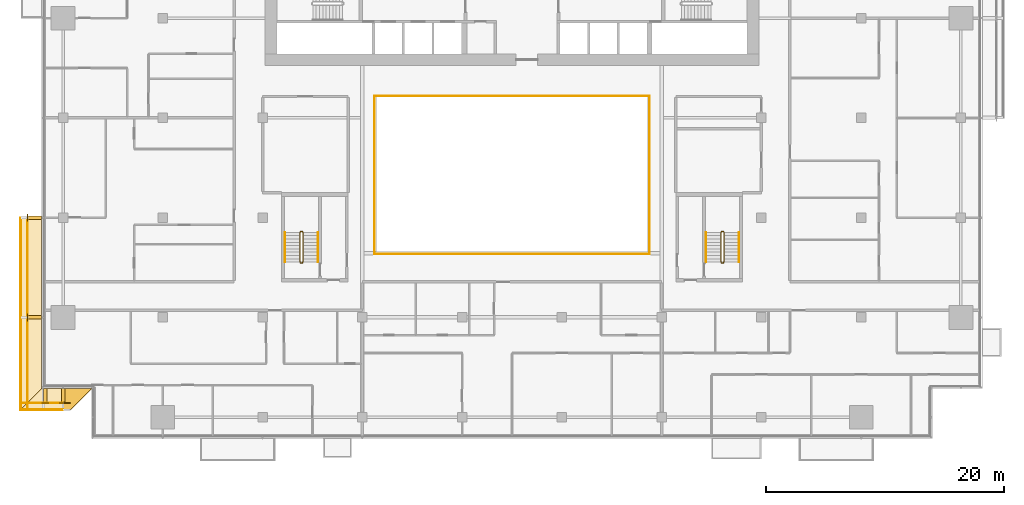
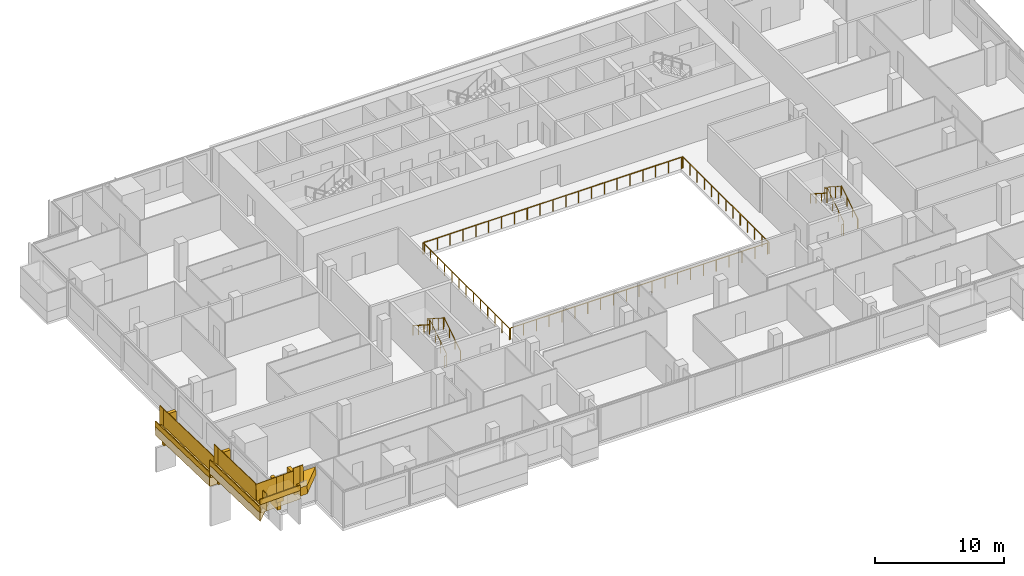
# One storey, part 26 of 29: 18 railings, 11 coverings.
"""IFC4 building model written with IfcOpenShell, lengths in metres."""

from ifc_helpers import new_model, si_unit, direction, frame, origin, origin_2d, place, context, subcontext, project, spatial, polyline, rectangle, circle, outline, extrude, material, layer, layer_set, type_object, element, save


model = new_model("IFC4")

# Units and contexts
model_context = context("Model", 3, precision=1e-05, world=origin(), true_north=direction((0.0, 1.0)))
body_context = subcontext(model_context, "Body", "Model", "MODEL_VIEW")
ifc_project = project(units=[si_unit("LENGTHUNIT", "METRE"), si_unit("AREAUNIT", "SQUARE_METRE"), si_unit("VOLUMEUNIT", "CUBIC_METRE"), si_unit("PLANEANGLEUNIT", "RADIAN"), si_unit("MASSUNIT", "GRAM", prefix="KILO")], contexts=[model_context])

# Site, building, storey
site_placement = place(None, origin())
site = spatial("IfcSite", under=ifc_project, at=site_placement, CompositionType="ELEMENT")
building_placement = place(site_placement, origin())
building = spatial("IfcBuilding", under=site, at=building_placement, Name="Saffron Gate Tower", CompositionType="ELEMENT")
storey_placement = place(building_placement, frame((0.0, 0.0, 113.25)))
storey = spatial("IfcBuildingStorey", under=building, at=storey_placement, Name="L26", CompositionType="ELEMENT", Elevation=113.25)

# Railings
ifc_material_1 = material(Name="Stainless steel and laminated glass", Category="steel")
railing_type_1 = type_object("IfcRailingType", Name="AG1 Atrium edge guard 1100", PredefinedType="GUARDRAIL", material=ifc_material_1)
railing_1_placement = place(storey_placement, frame((76.02001953125, 45.5400390625, 0.0)))
element("IfcRailing", 1, at=railing_1_placement, inside=storey, type_object=railing_type_1, Name="Guard B2-1", PredefinedType="GUARDRAIL", context=body_context, shape_type="SweptSolid", body=[
    extrude(circle(Radius=0.02392578125, at=origin_2d()), frame((0.0, 0.0, 1.076171875), z_axis=(0.0, 1.0, 0.0), x_axis=(-1.0, 0.0, 0.0)), (0.0, 0.0, 1.0), 13.320068359375),
    extrude(circle(Radius=0.02099609375, at=origin_2d()), origin(), (0.0, 0.0, 1.0), 1.052001953125),
    extrude(circle(Radius=0.02099609375, at=origin_2d()), frame((0.0, 1.110107421875, 0.0)), (0.0, 0.0, 1.0), 1.052001953125),
    extrude(circle(Radius=0.02099609375, at=origin_2d()), frame((0.0, 2.219970703125, 0.0)), (0.0, 0.0, 1.0), 1.052001953125),
    extrude(circle(Radius=0.02099609375, at=origin_2d()), frame((0.0, 3.330078125, 0.0)), (0.0, 0.0, 1.0), 1.052001953125),
    extrude(circle(Radius=0.02099609375, at=origin_2d()), frame((0.0, 4.43994140625, 0.0)), (0.0, 0.0, 1.0), 1.052001953125),
    extrude(circle(Radius=0.02099609375, at=origin_2d()), frame((0.0, 5.550048828125, 0.0)), (0.0, 0.0, 1.0), 1.052001953125),
    extrude(circle(Radius=0.02099609375, at=origin_2d()), frame((0.0, 6.66015625, 0.0)), (0.0, 0.0, 1.0), 1.052001953125),
    extrude(circle(Radius=0.02099609375, at=origin_2d()), frame((0.0, 7.77001953125, 0.0)), (0.0, 0.0, 1.0), 1.052001953125),
    extrude(circle(Radius=0.02099609375, at=origin_2d()), frame((0.0, 8.880126953125, 0.0)), (0.0, 0.0, 1.0), 1.052001953125),
    extrude(circle(Radius=0.02099609375, at=origin_2d()), frame((0.0, 9.989990234375, 0.0)), (0.0, 0.0, 1.0), 1.052001953125),
    extrude(circle(Radius=0.02099609375, at=origin_2d()), frame((0.0, 11.10009765625, 0.0)), (0.0, 0.0, 1.0), 1.052001953125),
    extrude(circle(Radius=0.02099609375, at=origin_2d()), frame((0.0, 12.2099609375, 0.0)), (0.0, 0.0, 1.0), 1.052001953125),
    extrude(circle(Radius=0.02099609375, at=origin_2d()), frame((0.0, 13.320068359375, 0.0)), (0.0, 0.0, 1.0), 1.052001953125),
])
railing_2_placement = place(storey_placement, frame((76.139892578125, 58.860107421875, 0.0)))
element("IfcRailing", 2, at=railing_2_placement, inside=storey, type_object=railing_type_1, Name="Guard B2-2", PredefinedType="GUARDRAIL", context=body_context, shape_type="SweptSolid", body=[
    extrude(circle(Radius=0.02392578125, at=origin_2d()), frame((0.0, 0.0, 1.076171875), z_axis=(1.0, 0.0, 0.0), x_axis=(0.0, 1.0, 0.0)), (0.0, 0.0, 1.0), 22.920166015625),
    extrude(circle(Radius=0.02099609375, at=origin_2d()), origin(), (0.0, 0.0, 1.0), 1.052001953125),
    extrude(circle(Radius=0.02099609375, at=origin_2d()), frame((1.14599609375, 0.0, 0.0)), (0.0, 0.0, 1.0), 1.052001953125),
    extrude(circle(Radius=0.02099609375, at=origin_2d()), frame((2.2919921875, 0.0, 0.0)), (0.0, 0.0, 1.0), 1.052001953125),
    extrude(circle(Radius=0.02099609375, at=origin_2d()), frame((3.43798828125, 0.0, 0.0)), (0.0, 0.0, 1.0), 1.052001953125),
    extrude(circle(Radius=0.02099609375, at=origin_2d()), frame((4.583984375, 0.0, 0.0)), (0.0, 0.0, 1.0), 1.052001953125),
    extrude(circle(Radius=0.02099609375, at=origin_2d()), frame((5.72998046875, 0.0, 0.0)), (0.0, 0.0, 1.0), 1.052001953125),
    extrude(circle(Radius=0.02099609375, at=origin_2d()), frame((6.8759765625, 0.0, 0.0)), (0.0, 0.0, 1.0), 1.052001953125),
    extrude(circle(Radius=0.02099609375, at=origin_2d()), frame((8.02197265625, 0.0, 0.0)), (0.0, 0.0, 1.0), 1.052001953125),
    extrude(circle(Radius=0.02099609375, at=origin_2d()), frame((9.16796875, 0.0, 0.0)), (0.0, 0.0, 1.0), 1.052001953125),
    extrude(circle(Radius=0.02099609375, at=origin_2d()), frame((10.31396484375, 0.0, 0.0)), (0.0, 0.0, 1.0), 1.052001953125),
    extrude(circle(Radius=0.02099609375, at=origin_2d()), frame((11.4599609375, 0.0, 0.0)), (0.0, 0.0, 1.0), 1.052001953125),
    extrude(circle(Radius=0.02099609375, at=origin_2d()), frame((12.606201171875, 0.0, 0.0)), (0.0, 0.0, 1.0), 1.052001953125),
    extrude(circle(Radius=0.02099609375, at=origin_2d()), frame((13.752197265625, 0.0, 0.0)), (0.0, 0.0, 1.0), 1.052001953125),
    extrude(circle(Radius=0.02099609375, at=origin_2d()), frame((14.898193359375, 0.0, 0.0)), (0.0, 0.0, 1.0), 1.052001953125),
    extrude(circle(Radius=0.02099609375, at=origin_2d()), frame((16.044189453125, 0.0, 0.0)), (0.0, 0.0, 1.0), 1.052001953125),
    extrude(circle(Radius=0.02099609375, at=origin_2d()), frame((17.190185546875, 0.0, 0.0)), (0.0, 0.0, 1.0), 1.052001953125),
    extrude(circle(Radius=0.02099609375, at=origin_2d()), frame((18.336181640625, 0.0, 0.0)), (0.0, 0.0, 1.0), 1.052001953125),
    extrude(circle(Radius=0.02099609375, at=origin_2d()), frame((19.482177734375, 0.0, 0.0)), (0.0, 0.0, 1.0), 1.052001953125),
    extrude(circle(Radius=0.02099609375, at=origin_2d()), frame((20.628173828125, 0.0, 0.0)), (0.0, 0.0, 1.0), 1.052001953125),
    extrude(circle(Radius=0.02099609375, at=origin_2d()), frame((21.774169921875, 0.0, 0.0)), (0.0, 0.0, 1.0), 1.052001953125),
    extrude(circle(Radius=0.02099609375, at=origin_2d()), frame((22.920166015625, 0.0, 0.0)), (0.0, 0.0, 1.0), 1.052001953125),
])
railing_3_placement = place(storey_placement, frame((99.179931640625, 58.860107421875, 0.0)))
element("IfcRailing", 3, at=railing_3_placement, inside=storey, type_object=railing_type_1, Name="Guard B2-3", PredefinedType="GUARDRAIL", context=body_context, shape_type="SweptSolid", body=[
    extrude(circle(Radius=0.02392578125, at=origin_2d()), frame((0.0, 0.0, 1.076171875), z_axis=(0.0, -1.0, 0.0), x_axis=(1.0, 0.0, 0.0)), (0.0, 0.0, 1.0), 13.320068359375),
    extrude(circle(Radius=0.02099609375, at=origin_2d()), origin(), (0.0, 0.0, 1.0), 1.052001953125),
    extrude(circle(Radius=0.02099609375, at=origin_2d()), frame((0.0, -1.110107421875, 0.0)), (0.0, 0.0, 1.0), 1.052001953125),
    extrude(circle(Radius=0.02099609375, at=origin_2d()), frame((0.0, -2.219970703125, 0.0)), (0.0, 0.0, 1.0), 1.052001953125),
    extrude(circle(Radius=0.02099609375, at=origin_2d()), frame((0.0, -3.330078125, 0.0)), (0.0, 0.0, 1.0), 1.052001953125),
    extrude(circle(Radius=0.02099609375, at=origin_2d()), frame((0.0, -4.43994140625, 0.0)), (0.0, 0.0, 1.0), 1.052001953125),
    extrude(circle(Radius=0.02099609375, at=origin_2d()), frame((0.0, -5.550048828125, 0.0)), (0.0, 0.0, 1.0), 1.052001953125),
    extrude(circle(Radius=0.02099609375, at=origin_2d()), frame((0.0, -6.66015625, 0.0)), (0.0, 0.0, 1.0), 1.052001953125),
    extrude(circle(Radius=0.02099609375, at=origin_2d()), frame((0.0, -7.77001953125, 0.0)), (0.0, 0.0, 1.0), 1.052001953125),
    extrude(circle(Radius=0.02099609375, at=origin_2d()), frame((0.0, -8.880126953125, 0.0)), (0.0, 0.0, 1.0), 1.052001953125),
    extrude(circle(Radius=0.02099609375, at=origin_2d()), frame((0.0, -9.989990234375, 0.0)), (0.0, 0.0, 1.0), 1.052001953125),
    extrude(circle(Radius=0.02099609375, at=origin_2d()), frame((0.0, -11.10009765625, 0.0)), (0.0, 0.0, 1.0), 1.052001953125),
    extrude(circle(Radius=0.02099609375, at=origin_2d()), frame((0.0, -12.2099609375, 0.0)), (0.0, 0.0, 1.0), 1.052001953125),
    extrude(circle(Radius=0.02099609375, at=origin_2d()), frame((0.0, -13.320068359375, 0.0)), (0.0, 0.0, 1.0), 1.052001953125),
])
railing_4_placement = place(storey_placement, frame((99.06005859375, 45.5400390625, 0.0)))
element("IfcRailing", 4, at=railing_4_placement, inside=storey, type_object=railing_type_1, Name="Guard B2-4", PredefinedType="GUARDRAIL", context=body_context, shape_type="SweptSolid", body=[
    extrude(circle(Radius=0.02392578125, at=origin_2d()), frame((0.0, 0.0, 1.076171875), z_axis=(-1.0, 0.0, 0.0), x_axis=(0.0, -1.0, 0.0)), (0.0, 0.0, 1.0), 22.920166015625),
    extrude(circle(Radius=0.02099609375, at=origin_2d()), origin(), (0.0, 0.0, 1.0), 1.052001953125),
    extrude(circle(Radius=0.02099609375, at=origin_2d()), frame((-1.14599609375, 0.0, 0.0)), (0.0, 0.0, 1.0), 1.052001953125),
    extrude(circle(Radius=0.02099609375, at=origin_2d()), frame((-2.2919921875, 0.0, 0.0)), (0.0, 0.0, 1.0), 1.052001953125),
    extrude(circle(Radius=0.02099609375, at=origin_2d()), frame((-3.43798828125, 0.0, 0.0)), (0.0, 0.0, 1.0), 1.052001953125),
    extrude(circle(Radius=0.02099609375, at=origin_2d()), frame((-4.583984375, 0.0, 0.0)), (0.0, 0.0, 1.0), 1.052001953125),
    extrude(circle(Radius=0.02099609375, at=origin_2d()), frame((-5.72998046875, 0.0, 0.0)), (0.0, 0.0, 1.0), 1.052001953125),
    extrude(circle(Radius=0.02099609375, at=origin_2d()), frame((-6.8759765625, 0.0, 0.0)), (0.0, 0.0, 1.0), 1.052001953125),
    extrude(circle(Radius=0.02099609375, at=origin_2d()), frame((-8.02197265625, 0.0, 0.0)), (0.0, 0.0, 1.0), 1.052001953125),
    extrude(circle(Radius=0.02099609375, at=origin_2d()), frame((-9.16796875, 0.0, 0.0)), (0.0, 0.0, 1.0), 1.052001953125),
    extrude(circle(Radius=0.02099609375, at=origin_2d()), frame((-10.31396484375, 0.0, 0.0)), (0.0, 0.0, 1.0), 1.052001953125),
    extrude(circle(Radius=0.02099609375, at=origin_2d()), frame((-11.4599609375, 0.0, 0.0)), (0.0, 0.0, 1.0), 1.052001953125),
    extrude(circle(Radius=0.02099609375, at=origin_2d()), frame((-12.606201171875, 0.0, 0.0)), (0.0, 0.0, 1.0), 1.052001953125),
    extrude(circle(Radius=0.02099609375, at=origin_2d()), frame((-13.752197265625, 0.0, 0.0)), (0.0, 0.0, 1.0), 1.052001953125),
    extrude(circle(Radius=0.02099609375, at=origin_2d()), frame((-14.898193359375, 0.0, 0.0)), (0.0, 0.0, 1.0), 1.052001953125),
    extrude(circle(Radius=0.02099609375, at=origin_2d()), frame((-16.044189453125, 0.0, 0.0)), (0.0, 0.0, 1.0), 1.052001953125),
    extrude(circle(Radius=0.02099609375, at=origin_2d()), frame((-17.190185546875, 0.0, 0.0)), (0.0, 0.0, 1.0), 1.052001953125),
    extrude(circle(Radius=0.02099609375, at=origin_2d()), frame((-18.336181640625, 0.0, 0.0)), (0.0, 0.0, 1.0), 1.052001953125),
    extrude(circle(Radius=0.02099609375, at=origin_2d()), frame((-19.482177734375, 0.0, 0.0)), (0.0, 0.0, 1.0), 1.052001953125),
    extrude(circle(Radius=0.02099609375, at=origin_2d()), frame((-20.628173828125, 0.0, 0.0)), (0.0, 0.0, 1.0), 1.052001953125),
    extrude(circle(Radius=0.02099609375, at=origin_2d()), frame((-21.774169921875, 0.0, 0.0)), (0.0, 0.0, 1.0), 1.052001953125),
    extrude(circle(Radius=0.02099609375, at=origin_2d()), frame((-22.920166015625, 0.0, 0.0)), (0.0, 0.0, 1.0), 1.052001953125),
])
railing_type_2 = type_object("IfcRailingType", Name="CR1 Stair guard 1100", PredefinedType="GUARDRAIL", material=ifc_material_1)
railing_5_placement = place(storey_placement, frame((69.800048828125, 44.800048828125, 0.0)))
element("IfcRailing", 5, at=railing_5_placement, inside=storey, type_object=railing_type_2, Name="L26 ST-D stair guard 1", PredefinedType="GUARDRAIL", context=body_context, shape_type="SweptSolid", body=[
    extrude(circle(Radius=0.02392578125, at=origin_2d()), frame((0.0, 0.0, 1.076171875), z_axis=(1.0, 0.0, 0.0), x_axis=(0.0, 1.0, 0.0)), (0.0, 0.0, 1.0), 0.14990234375),
    extrude(circle(Radius=0.02392578125, at=origin_2d()), frame((0.14990234375, 0.0, 1.076171875), z_axis=(0.258847668887, 0.258847668887, 0.930588936439), x_axis=(-0.707106781187, 0.707106781187, 0.0)), (0.0, 0.0, 1.0), 0.193359375),
    extrude(circle(Radius=0.02392578125, at=origin_2d()), frame((0.199951171875, 0.050048828125, 1.255859375), z_axis=(0.0, 0.841162588446, 0.540782303519), x_axis=(-1.0, 0.0, 0.0)), (0.0, 0.0, 1.0), 2.995849609375),
    extrude(circle(Radius=0.02392578125, at=origin_2d()), frame((0.199951171875, 2.570068359375, 2.8759765625), z_axis=(-0.708833529934, 0.705375805398, 0.0), x_axis=(-0.705375805398, -0.708833529934, 0.0)), (0.0, 0.0, 1.0), 0.070556640625),
    extrude(circle(Radius=0.02392578125, at=origin_2d()), frame((0.14990234375, 2.619873046875, 2.8759765625), z_axis=(-1.0, 0.0, 0.0), x_axis=(0.0, -1.0, 0.0)), (0.0, 0.0, 1.0), 0.14990234375),
    extrude(circle(Radius=0.02392578125, at=origin_2d()), frame((0.0, 2.619873046875, 2.8759765625), z_axis=(-0.258932105505, -0.257669022063, 0.930892496375), x_axis=(0.705375805398, -0.708833529934, 0.0)), (0.0, 0.0, 1.0), 0.193359375),
    extrude(circle(Radius=0.02392578125, at=origin_2d()), frame((-0.050048828125, 2.570068359375, 3.05615234375), z_axis=(0.0, -0.841162588446, 0.540782303519), x_axis=(1.0, 0.0, 0.0)), (0.0, 0.0, 1.0), 2.995849609375),
    extrude(circle(Radius=0.02099609375, at=origin_2d()), origin(), (0.0, 0.0, 1.0), 1.052001953125),
    extrude(circle(Radius=0.02099609375, at=origin_2d()), frame((0.14990234375, 0.0, 0.0)), (0.0, 0.0, 1.0), 1.052001953125),
    extrude(circle(Radius=0.02099609375, at=origin_2d()), frame((0.199951171875, 0.050048828125, 0.179931640625)), (0.0, 0.0, 1.0), 1.052001953125),
    extrude(circle(Radius=0.02099609375, at=origin_2d()), frame((0.199951171875, 0.89013671875, 0.719970703125)), (0.0, 0.0, 1.0), 1.052001953125),
    extrude(circle(Radius=0.02099609375, at=origin_2d()), frame((0.199951171875, 1.72998046875, 1.260009765625)), (0.0, 0.0, 1.0), 1.052001953125),
    extrude(circle(Radius=0.02099609375, at=origin_2d()), frame((0.199951171875, 2.570068359375, 1.800048828125)), (0.0, 0.0, 1.0), 1.052001953125),
    extrude(circle(Radius=0.02099609375, at=origin_2d()), frame((0.14990234375, 2.619873046875, 1.800048828125)), (0.0, 0.0, 1.0), 1.052001953125),
    extrude(circle(Radius=0.02099609375, at=origin_2d()), frame((0.0, 2.619873046875, 1.800048828125)), (0.0, 0.0, 1.0), 1.052001953125),
    extrude(circle(Radius=0.02099609375, at=origin_2d()), frame((-0.050048828125, 2.570068359375, 1.97998046875)), (0.0, 0.0, 1.0), 1.052001953125),
    extrude(circle(Radius=0.02099609375, at=origin_2d()), frame((-0.050048828125, 1.72998046875, 2.52001953125)), (0.0, 0.0, 1.0), 1.052001953125),
    extrude(circle(Radius=0.02099609375, at=origin_2d()), frame((-0.050048828125, 0.89013671875, 3.06005859375)), (0.0, 0.0, 1.0), 1.052001953125),
    extrude(circle(Radius=0.02099609375, at=origin_2d()), frame((-0.050048828125, 0.050048828125, 3.60009765625)), (0.0, 0.0, 1.0), 1.052001953125),
])
railing_6_placement = place(storey_placement, frame((105.25, 44.800048828125, 0.0)))
element("IfcRailing", 6, at=railing_6_placement, inside=storey, type_object=railing_type_2, Name="L26 ST-E stair guard 1", PredefinedType="GUARDRAIL", context=body_context, shape_type="SweptSolid", body=[
    extrude(circle(Radius=0.02392578125, at=origin_2d()), frame((0.0, 0.0, 1.076171875), z_axis=(1.0, 0.0, 0.0), x_axis=(0.0, 1.0, 0.0)), (0.0, 0.0, 1.0), 0.14990234375),
    extrude(circle(Radius=0.02392578125, at=origin_2d()), frame((0.14990234375, 0.0, 1.076171875), z_axis=(0.258847668887, 0.258847668887, 0.930588936439), x_axis=(-0.707106781187, 0.707106781187, 0.0)), (0.0, 0.0, 1.0), 0.193359375),
    extrude(circle(Radius=0.02392578125, at=origin_2d()), frame((0.199951171875, 0.050048828125, 1.255859375), z_axis=(0.0, 0.841162588446, 0.540782303519), x_axis=(-1.0, 0.0, 0.0)), (0.0, 0.0, 1.0), 2.995849609375),
    extrude(circle(Radius=0.02392578125, at=origin_2d()), frame((0.199951171875, 2.570068359375, 2.8759765625), z_axis=(-0.708833529934, 0.705375805398, 0.0), x_axis=(-0.705375805398, -0.708833529934, 0.0)), (0.0, 0.0, 1.0), 0.070556640625),
    extrude(circle(Radius=0.02392578125, at=origin_2d()), frame((0.14990234375, 2.619873046875, 2.8759765625), z_axis=(-1.0, 0.0, 0.0), x_axis=(0.0, -1.0, 0.0)), (0.0, 0.0, 1.0), 0.14990234375),
    extrude(circle(Radius=0.02392578125, at=origin_2d()), frame((0.0, 2.619873046875, 2.8759765625), z_axis=(-0.258932105505, -0.257669022063, 0.930892496375), x_axis=(0.705375805398, -0.708833529934, 0.0)), (0.0, 0.0, 1.0), 0.193359375),
    extrude(circle(Radius=0.02392578125, at=origin_2d()), frame((-0.050048828125, 2.570068359375, 3.05615234375), z_axis=(0.0, -0.841162588446, 0.540782303519), x_axis=(1.0, 0.0, 0.0)), (0.0, 0.0, 1.0), 2.995849609375),
    extrude(circle(Radius=0.02099609375, at=origin_2d()), origin(), (0.0, 0.0, 1.0), 1.052001953125),
    extrude(circle(Radius=0.02099609375, at=origin_2d()), frame((0.14990234375, 0.0, 0.0)), (0.0, 0.0, 1.0), 1.052001953125),
    extrude(circle(Radius=0.02099609375, at=origin_2d()), frame((0.199951171875, 0.050048828125, 0.179931640625)), (0.0, 0.0, 1.0), 1.052001953125),
    extrude(circle(Radius=0.02099609375, at=origin_2d()), frame((0.199951171875, 0.89013671875, 0.719970703125)), (0.0, 0.0, 1.0), 1.052001953125),
    extrude(circle(Radius=0.02099609375, at=origin_2d()), frame((0.199951171875, 1.72998046875, 1.260009765625)), (0.0, 0.0, 1.0), 1.052001953125),
    extrude(circle(Radius=0.02099609375, at=origin_2d()), frame((0.199951171875, 2.570068359375, 1.800048828125)), (0.0, 0.0, 1.0), 1.052001953125),
    extrude(circle(Radius=0.02099609375, at=origin_2d()), frame((0.14990234375, 2.619873046875, 1.800048828125)), (0.0, 0.0, 1.0), 1.052001953125),
    extrude(circle(Radius=0.02099609375, at=origin_2d()), frame((0.0, 2.619873046875, 1.800048828125)), (0.0, 0.0, 1.0), 1.052001953125),
    extrude(circle(Radius=0.02099609375, at=origin_2d()), frame((-0.050048828125, 2.570068359375, 1.97998046875)), (0.0, 0.0, 1.0), 1.052001953125),
    extrude(circle(Radius=0.02099609375, at=origin_2d()), frame((-0.050048828125, 1.72998046875, 2.52001953125)), (0.0, 0.0, 1.0), 1.052001953125),
    extrude(circle(Radius=0.02099609375, at=origin_2d()), frame((-0.050048828125, 0.89013671875, 3.06005859375)), (0.0, 0.0, 1.0), 1.052001953125),
    extrude(circle(Radius=0.02099609375, at=origin_2d()), frame((-0.050048828125, 0.050048828125, 3.60009765625)), (0.0, 0.0, 1.0), 1.052001953125),
])
ifc_material_2 = material(Name="Stainless steel", Category="steel")
railing_type_3 = type_object("IfcRailingType", Name="CR2 Stair handrail 900", PredefinedType="HANDRAIL", material=ifc_material_2)
railing_7_placement = place(storey_placement, frame((71.25, 44.85009765625, 0.179931640625)))
element("IfcRailing", 7, at=railing_7_placement, inside=storey, type_object=railing_type_3, Name="L26 ST-D stair handrail 1", PredefinedType="HANDRAIL", context=body_context, shape_type="SweptSolid", body=[
    extrude(circle(Radius=0.02392578125, at=origin_2d()), frame((0.0, 0.0, 0.8759765625), z_axis=(0.0, 0.841162588446, 0.540782303519), x_axis=(-1.0, 0.0, 0.0)), (0.0, 0.0, 1.0), 2.995849609375),
    extrude(circle(Radius=0.02099609375, at=origin_2d()), origin(), (0.0, 0.0, 1.0), 0.851806640625),
    extrude(circle(Radius=0.02099609375, at=origin_2d()), frame((0.0, 0.840087890625, 0.5400390625)), (0.0, 0.0, 1.0), 0.851806640625),
    extrude(circle(Radius=0.02099609375, at=origin_2d()), frame((0.0, 1.679931640625, 1.080078125)), (0.0, 0.0, 1.0), 0.851806640625),
    extrude(circle(Radius=0.02099609375, at=origin_2d()), frame((0.0, 2.52001953125, 1.6201171875)), (0.0, 0.0, 1.0), 0.851806640625),
])
railing_8_placement = place(storey_placement, frame((68.5, 47.3701171875, 1.97998046875)))
element("IfcRailing", 8, at=railing_8_placement, inside=storey, type_object=railing_type_3, Name="L26 ST-D stair handrail 2", PredefinedType="HANDRAIL", context=body_context, shape_type="SweptSolid", body=[
    extrude(circle(Radius=0.02392578125, at=origin_2d()), frame((0.0, 0.0, 0.8759765625), z_axis=(0.0, -0.841162588446, 0.540782303519), x_axis=(1.0, 0.0, 0.0)), (0.0, 0.0, 1.0), 2.995849609375),
    extrude(circle(Radius=0.02099609375, at=origin_2d()), origin(), (0.0, 0.0, 1.0), 0.851806640625),
    extrude(circle(Radius=0.02099609375, at=origin_2d()), frame((0.0, -0.840087890625, 0.5400390625)), (0.0, 0.0, 1.0), 0.851806640625),
    extrude(circle(Radius=0.02099609375, at=origin_2d()), frame((0.0, -1.679931640625, 1.080078125)), (0.0, 0.0, 1.0), 0.851806640625),
    extrude(circle(Radius=0.02099609375, at=origin_2d()), frame((0.0, -2.52001953125, 1.6201171875)), (0.0, 0.0, 1.0), 0.851806640625),
])
railing_9_placement = place(storey_placement, frame((106.699951171875, 44.85009765625, 0.179931640625)))
element("IfcRailing", 9, at=railing_9_placement, inside=storey, type_object=railing_type_3, Name="L26 ST-E stair handrail 1", PredefinedType="HANDRAIL", context=body_context, shape_type="SweptSolid", body=[
    extrude(circle(Radius=0.02392578125, at=origin_2d()), frame((0.0, 0.0, 0.8759765625), z_axis=(0.0, 0.841162588446, 0.540782303519), x_axis=(-1.0, 0.0, 0.0)), (0.0, 0.0, 1.0), 2.995849609375),
    extrude(circle(Radius=0.02099609375, at=origin_2d()), origin(), (0.0, 0.0, 1.0), 0.851806640625),
    extrude(circle(Radius=0.02099609375, at=origin_2d()), frame((0.0, 0.840087890625, 0.5400390625)), (0.0, 0.0, 1.0), 0.851806640625),
    extrude(circle(Radius=0.02099609375, at=origin_2d()), frame((0.0, 1.679931640625, 1.080078125)), (0.0, 0.0, 1.0), 0.851806640625),
    extrude(circle(Radius=0.02099609375, at=origin_2d()), frame((0.0, 2.52001953125, 1.6201171875)), (0.0, 0.0, 1.0), 0.851806640625),
])
railing_10_placement = place(storey_placement, frame((103.949951171875, 47.3701171875, 1.97998046875)))
element("IfcRailing", 10, at=railing_10_placement, inside=storey, type_object=railing_type_3, Name="L26 ST-E stair handrail 2", PredefinedType="HANDRAIL", context=body_context, shape_type="SweptSolid", body=[
    extrude(circle(Radius=0.02392578125, at=origin_2d()), frame((0.0, 0.0, 0.8759765625), z_axis=(0.0, -0.841162588446, 0.540782303519), x_axis=(1.0, 0.0, 0.0)), (0.0, 0.0, 1.0), 2.995849609375),
    extrude(circle(Radius=0.02099609375, at=origin_2d()), origin(), (0.0, 0.0, 1.0), 0.851806640625),
    extrude(circle(Radius=0.02099609375, at=origin_2d()), frame((0.0, -0.840087890625, 0.5400390625)), (0.0, 0.0, 1.0), 0.851806640625),
    extrude(circle(Radius=0.02099609375, at=origin_2d()), frame((0.0, -1.679931640625, 1.080078125)), (0.0, 0.0, 1.0), 0.851806640625),
    extrude(circle(Radius=0.02099609375, at=origin_2d()), frame((0.0, -2.52001953125, 1.6201171875)), (0.0, 0.0, 1.0), 0.851806640625),
])

# Coverings
ifc_material_3 = material(Name="Timber, thermally modified ash", Category="wood")
ifc_layer_1 = layer(ifc_material_3, 0.800048828125)
ifc_layer_set_1 = layer_set([ifc_layer_1], Name="LD1 ledge timber")
covering_type_1 = type_object("IfcCoveringType", Name="LD1 ledge timber", PredefinedType="CLADDING", material=ifc_layer_set_1)
covering_1_placement = place(storey_placement, frame((48.0, 48.60009765625, 0.4140625), z_axis=(0.0, 0.028790339263, 0.999585472266), x_axis=(0.0, -0.999585472266, 0.028790339263)))
element("IfcCovering", 11, at=covering_1_placement, inside=storey, type_object=covering_type_1, Name="LEDGE", PredefinedType="CLADDING", context=body_context, shape_type="SweptSolid", body=[
    extrude(outline(polyline([(0.0, 0.0), (8.403630022085892, 0.0), (8.403630022085892, -1.800048828125), (0.0, -1.800048828125), (0.0, 0.0)])), origin(), (0.0, 0.0, -1.0), 0.800048828125),
])
covering_2_placement = place(storey_placement, frame((48.0, 40.199951171875, 1.8564453125), z_axis=(-2.391759e-05, 0.028789477025, 0.999585496814), x_axis=(1.72e-10, -0.9995854971, 0.028789477033)))
element("IfcCovering", 12, at=covering_2_placement, inside=storey, type_object=covering_type_1, Name="LEDGE", PredefinedType="CLADDING", context=body_context, shape_type="SweptSolid", body=[
    extrude(outline(polyline([(0.0, 0.0), (6.002489288687248, 8.470329472543003e-22), (7.80328207139786, -1.8000488299785034), (-3.0879623774719253e-10, -1.8000488276101398), (0.0, 0.0)])), origin(), (0.0, 0.0, -1.0), 0.800048828125),
])
covering_3_placement = place(storey_placement, frame((48.0, 34.199951171875, 2.88671875), z_axis=(-0.028786835276, -4.5191264e-05, 0.999585572161), x_axis=(0.999585573182, -2.041e-09, 0.028786835305)))
element("IfcCovering", 13, at=covering_3_placement, inside=storey, type_object=covering_type_1, Name="LEDGE", PredefinedType="CLADDING", context=body_context, shape_type="SweptSolid", body=[
    extrude(outline(polyline([(0.0, 0.0), (1.8007927832406818, 0.0), (1.8007927869153135, -1.800048826286925), (-1.8007998076020133, -1.8000488373153904), (0.0, 0.0)])), origin(), (0.0, 0.0, -1.0), 0.800048828125),
])
covering_4_placement = place(storey_placement, frame((49.800048828125, 34.199951171875, 3.19580078125), z_axis=(-0.028798988267, 2.8677152e-05, 0.999585222706), x_axis=(0.999585223117, 6.17e-10, 0.028798988279)))
element("IfcCovering", 14, at=covering_4_placement, inside=storey, type_object=covering_type_1, Name="LEDGE", PredefinedType="CLADDING", context=body_context, shape_type="SweptSolid", body=[
    extrude(outline(polyline([(0.0, 0.0), (2.400896693585025, 4.235164736271502e-22), (0.6001039103565923, -1.8000488292351675), (-1.1098572600196767e-09, -1.8000488273848385), (0.0, 0.0)])), origin(), (0.0, 0.0, -1.0), 0.800048828125),
])
ifc_layer_2 = layer(ifc_material_3, 0.080078125)
ifc_layer_set_2 = layer_set([ifc_layer_2], Name="LD2 ledge planter trough")
covering_type_2 = type_object("IfcCoveringType", Name="LD2 ledge planter trough", PredefinedType="CLADDING", material=ifc_layer_set_2)
covering_5_placement = place(storey_placement, frame((46.199951171875, 48.60009765625, 0.4140625), z_axis=(-1.0, 0.0, 0.0), x_axis=(0.0, -0.999585472266, 0.028790339263)))
element("IfcCovering", 15, at=covering_5_placement, inside=storey, type_object=covering_type_2, Name="LEDGE planter trough", PredefinedType="CLADDING", context=body_context, shape_type="SweptSolid", body=[
    extrude(outline(polyline([(0.0, 0.0), (8.403630022085892, 0.0), (8.418025191717298, 0.4997927361329725), (0.014395169631405694, 0.4997927361329725), (0.0, 0.0)])), origin(), (0.0, 0.0, -1.0), 0.080078125),
])
covering_6_placement = place(storey_placement, frame((46.199951171875, 40.199951171875, 1.8564453125), z_axis=(-1.0, 0.0, 0.0), x_axis=(0.0, -0.999585655924, 0.028783962047)))
element("IfcCovering", 16, at=covering_6_placement, inside=storey, type_object=covering_type_2, Name="LEDGE planter trough", PredefinedType="CLADDING", context=body_context, shape_type="SweptSolid", body=[
    extrude(outline(polyline([(0.0, 0.0), (7.803282071825423, 2.7755575615628914e-17), (7.817674052849086, 0.4997928279619612), (0.014391981023662846, 0.4997928279619612), (0.0, 0.0)])), origin(), (0.0, 0.0, -1.0), 0.080078125),
])
covering_7_placement = place(storey_placement, frame((46.199951171875, 32.39990234375, 2.834716796875), z_axis=(0.0, -1.0, 0.0), x_axis=(0.99958492274, 0.0, 0.028809412191)))
element("IfcCovering", 17, at=covering_7_placement, inside=storey, type_object=covering_type_2, Name="LEDGE planter trough", PredefinedType="CLADDING", context=body_context, shape_type="SweptSolid", body=[
    extrude(outline(polyline([(0.0, 0.0), (3.601592595435983, 0.0), (3.6159973015313485, 0.4997924613700232), (0.014404706095365512, 0.4997924613700232), (0.0, 0.0)])), origin(), (0.0, 0.0, -1.0), 0.080078125),
])
ifc_layer_3 = layer(ifc_material_3, 0.300048828125)
ifc_layer_set_3 = layer_set([ifc_layer_3], Name="LD3 ledge riser fin")
covering_type_3 = type_object("IfcCoveringType", Name="LD3 ledge riser fin", PredefinedType="CLADDING", material=ifc_layer_set_3)
for number, where, z_axis, x_axis, name in (
    (18, (47.43994140625, 48.60009765625, -1.586181640625), (0.0, 0.0, 1.0), (0.0, -1.0, 0.0), "LEDGE riser fin"),
    (19, (47.43994140625, 40.199951171875, -0.14404296875), (0.0, 0.0, 1.0), (0.0, -1.0, 0.0), "LEDGE riser fin"),
):
    element("IfcCovering", number, at=place(storey_placement, frame(where, z_axis=z_axis, x_axis=x_axis)), inside=storey, type_object=covering_type_3, Name=name, PredefinedType="CLADDING", context=body_context, shape_type="SweptSolid", body=[
        extrude(rectangle(XDim=0.300048828125, YDim=1.1201171875, at=origin_2d()), origin(), (0.0, 0.0, 1.0), 2.900390625),
    ])
covering_8_placement = place(storey_placement, frame((48.300048828125, 33.639892578125, 1.2294921875), z_axis=(0.0, 0.0, 1.0), x_axis=(1.0, 0.0, 0.0)))
element("IfcCovering", 20, at=covering_8_placement, inside=storey, type_object=covering_type_3, Name="LEDGE riser fin", PredefinedType="CLADDING", context=body_context, shape_type="SweptSolid", body=[
    extrude(rectangle(XDim=0.300048828125, YDim=1.1201171875, at=origin_2d()), origin(), (0.0, 0.0, 1.0), 2.557373046875),
])
covering_9_placement = place(storey_placement, frame((49.800048828125, 33.639892578125, 2.138671875), z_axis=(0.0, 0.0, 1.0), x_axis=(1.0, 0.0, 0.0)))
element("IfcCovering", 21, at=covering_9_placement, inside=storey, type_object=covering_type_3, Name="LEDGE riser fin", PredefinedType="CLADDING", context=body_context, shape_type="SweptSolid", body=[
    extrude(rectangle(XDim=0.300048828125, YDim=1.1201171875, at=origin_2d()), origin(), (0.0, 0.0, 1.0), 1.957275390625),
])

# Railings
railing_type_4 = type_object("IfcRailingType", Name="LG1 ledge balustrade", PredefinedType="BALUSTRADE", material=ifc_material_3)
railing_11_placement = place(storey_placement, frame((46.800048828125, 48.60009765625, 0.4140625)))
element("IfcRailing", 22, at=railing_11_placement, inside=storey, type_object=railing_type_4, Name="LEDGE BALUSTRADE", PredefinedType="BALUSTRADE", context=body_context, shape_type="SweptSolid", body=[
    extrude(rectangle(XDim=0.06005859375, YDim=1.60009765625, at=origin_2d()), frame((0.0, 0.0, 0.800048828125), z_axis=(0.0, -0.999585472266, 0.028790339263), x_axis=(1.0, 0.0, 0.0)), (0.0, 0.0, 1.0), 8.403564453125),
])
railing_12_placement = place(storey_placement, frame((46.800048828125, 48.89990234375, -0.786376953125)))
element("IfcRailing", 23, at=railing_12_placement, inside=storey, type_object=railing_type_4, Name="LEDGE BALUSTRADE", PredefinedType="BALUSTRADE", context=body_context, shape_type="SweptSolid", body=[
    extrude(rectangle(XDim=0.06005859375, YDim=2.80029296875, at=origin_2d()), frame((0.0, 0.0, 1.400146484375), z_axis=(0.0, -1.0, 0.0), x_axis=(1.0, 0.0, 0.0)), (0.0, 0.0, 1.0), 0.599853515625),
])
railing_13_placement = place(storey_placement, frame((46.800048828125, 40.199951171875, 1.8564453125)))
element("IfcRailing", 24, at=railing_13_placement, inside=storey, type_object=railing_type_4, Name="LEDGE BALUSTRADE", PredefinedType="BALUSTRADE", context=body_context, shape_type="SweptSolid", body=[
    extrude(rectangle(XDim=0.06005859375, YDim=1.60009765625, at=origin_2d()), frame((0.0, 0.0, 0.800048828125), z_axis=(0.0, -0.999585655924, 0.028783962047), x_axis=(1.0, 0.0, 0.0)), (0.0, 0.0, 1.0), 7.80322265625),
])
railing_14_placement = place(storey_placement, frame((46.800048828125, 40.5, 0.656005859375)))
element("IfcRailing", 25, at=railing_14_placement, inside=storey, type_object=railing_type_4, Name="LEDGE BALUSTRADE", PredefinedType="BALUSTRADE", context=body_context, shape_type="SweptSolid", body=[
    extrude(rectangle(XDim=0.06005859375, YDim=2.80029296875, at=origin_2d()), frame((0.0, 0.0, 1.400146484375), z_axis=(0.0, -1.0, 0.0), x_axis=(1.0, 0.0, 0.0)), (0.0, 0.0, 1.0), 0.60009765625),
])
railing_15_placement = place(storey_placement, frame((46.199951171875, 33.0, 2.834716796875)))
element("IfcRailing", 26, at=railing_15_placement, inside=storey, type_object=railing_type_4, Name="LEDGE BALUSTRADE", PredefinedType="BALUSTRADE", context=body_context, shape_type="SweptSolid", body=[
    extrude(rectangle(XDim=0.06005859375, YDim=1.60009765625, at=origin_2d()), frame((0.0, 0.0, 0.800048828125), z_axis=(0.99958492274, 0.0, 0.028809412191), x_axis=(0.0, 1.0, 0.0)), (0.0, 0.0, 1.0), 3.6015625),
])
railing_16_placement = place(storey_placement, frame((48.0, 33.0, 2.029296875)))
element("IfcRailing", 27, at=railing_16_placement, inside=storey, type_object=railing_type_4, Name="LEDGE BALUSTRADE", PredefinedType="BALUSTRADE", context=body_context, shape_type="SweptSolid", body=[
    extrude(rectangle(XDim=0.06005859375, YDim=2.45751953125, at=origin_2d()), frame((0.0, 0.0, 1.228759765625), z_axis=(1.0, 0.0, 0.0), x_axis=(0.0, 1.0, 0.0)), (0.0, 0.0, 1.0), 0.60009765625),
])
railing_17_placement = place(storey_placement, frame((49.800048828125, 33.0, 3.19580078125)))
element("IfcRailing", 28, at=railing_17_placement, inside=storey, type_object=railing_type_4, Name="LEDGE BALUSTRADE", PredefinedType="BALUSTRADE", context=body_context, shape_type="SweptSolid", body=[
    extrude(rectangle(XDim=0.06005859375, YDim=1.60009765625, at=origin_2d()), frame((0.0, 0.0, 0.800048828125), z_axis=(0.999582742162, 0.0, 0.028884971385), x_axis=(0.0, 1.0, 0.0)), (0.0, 0.0, 1.0), 0.60009765625),
])
railing_18_placement = place(storey_placement, frame((49.5, 33.0, 2.9384765625)))
element("IfcRailing", 29, at=railing_18_placement, inside=storey, type_object=railing_type_4, Name="LEDGE BALUSTRADE", PredefinedType="BALUSTRADE", context=body_context, shape_type="SweptSolid", body=[
    extrude(rectangle(XDim=0.06005859375, YDim=1.857177734375, at=origin_2d()), frame((0.0, 0.0, 0.9287109375), z_axis=(1.0, 0.0, 0.0), x_axis=(0.0, 1.0, 0.0)), (0.0, 0.0, 1.0), 0.60009765625),
])

save(model, "model.ifc")
